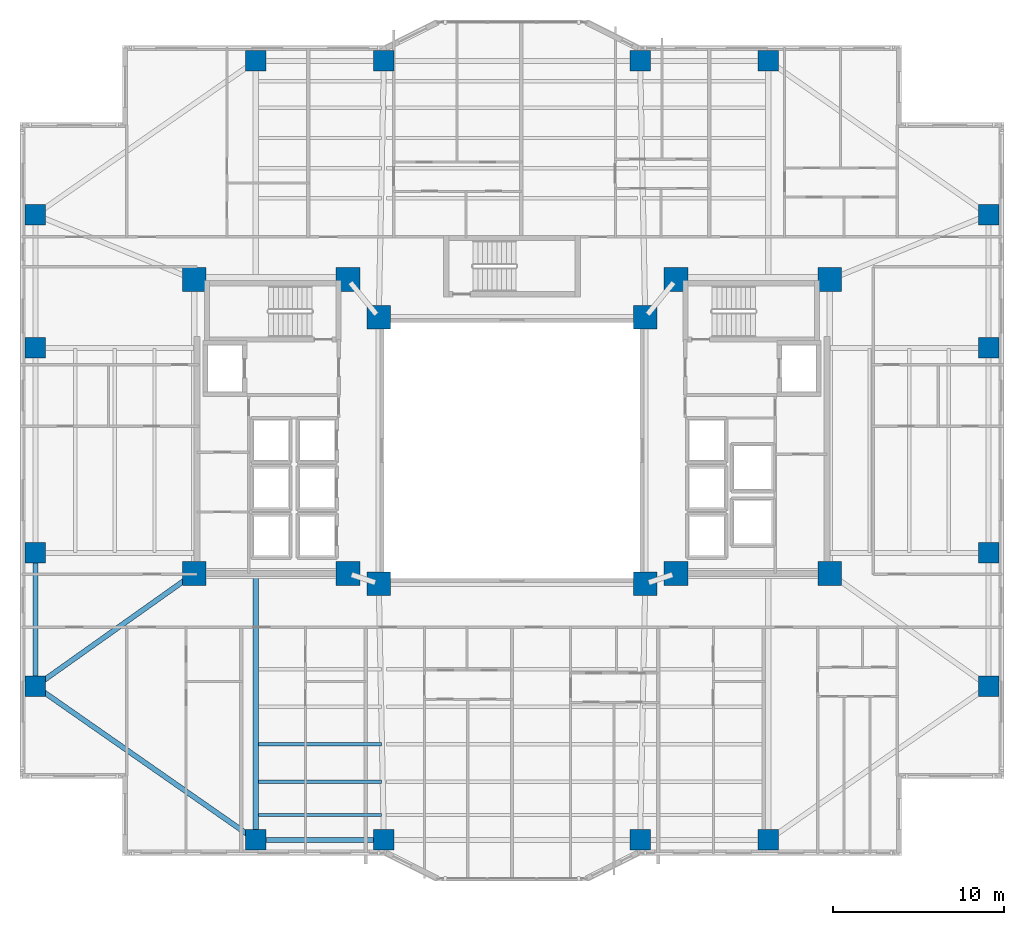
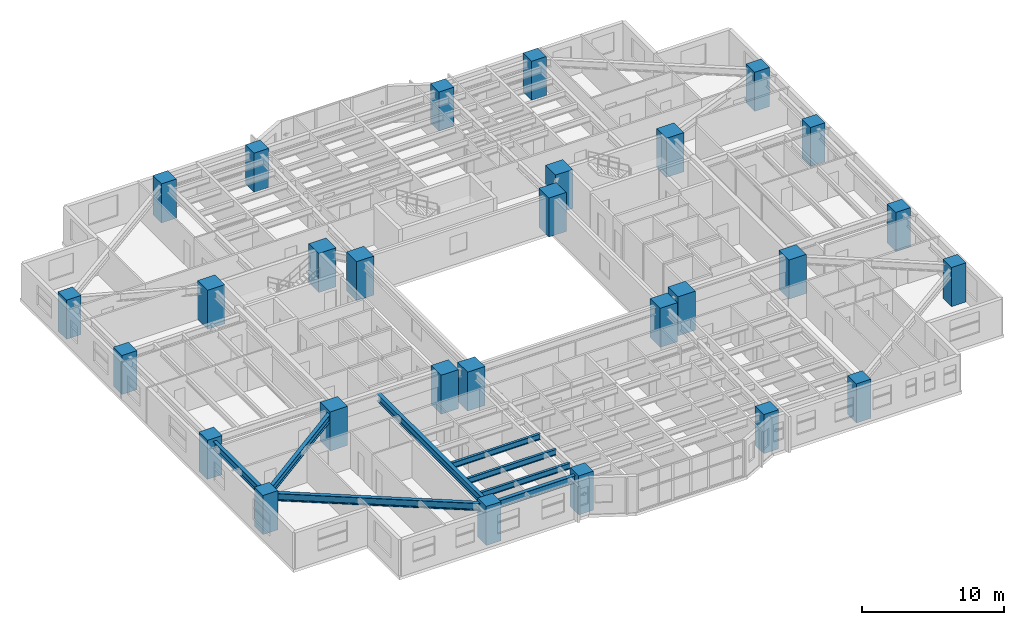
# One storey, part 1 of 22: 28 columns, 8 beams.
"""IFC4 building model written with IfcOpenShell, lengths in metres."""

from ifc_helpers import new_model, si_unit, direction, frame, origin, origin_2d, place, context, subcontext, project, spatial, rectangle, i_section, extrude, material, material_profile, profile_set, type_object, element, save


model = new_model("IFC4")

# Units and contexts
model_context = context("Model", 3, precision=1e-05, world=origin(), true_north=direction((0.0, 1.0)))
body_context = subcontext(model_context, "Body", "Model", "MODEL_VIEW")
ifc_project = project(units=[si_unit("LENGTHUNIT", "METRE"), si_unit("AREAUNIT", "SQUARE_METRE"), si_unit("VOLUMEUNIT", "CUBIC_METRE"), si_unit("PLANEANGLEUNIT", "RADIAN"), si_unit("MASSUNIT", "GRAM", prefix="KILO")], contexts=[model_context])

# Site, building, storey
site_placement = place(None, origin())
site = spatial("IfcSite", under=ifc_project, at=site_placement, CompositionType="ELEMENT")
building_placement = place(site_placement, origin())
building = spatial("IfcBuilding", under=site, at=building_placement, Name="Tarnavaz Court Tower", CompositionType="ELEMENT")
storey_placement = place(building_placement, frame((0.0, 0.0, 27.35009765625)))
storey = spatial("IfcBuildingStorey", under=building, at=storey_placement, Name="L06", CompositionType="ELEMENT", Elevation=27.35009765625)

# Columns
ifc_material_1 = material(Name="Concrete C60/75", Category="concrete")
ifc_material_profile_1 = material_profile(ifc_material_1, rectangle(XDim=1.199951171875, YDim=1.199951171875, at=origin_2d()), Name="RC 1200X1200")
ifc_profile_set_1 = profile_set([ifc_material_profile_1], Name="Concrete C60/75")
column_type_1 = type_object("IfcColumnType", Name="CL-RC1200", PredefinedType="COLUMN", material=ifc_profile_set_1)
for number, where, z_axis, x_axis, name in (
    (1, (-15.0, 22.800048828125, 0.0), (0.0, 0.0, 1.0), (1.0, 0.0, 0.0), "L06 Column PN-1"),
    (2, (-7.5, 22.800048828125, 0.0), (0.0, 0.0, 1.0), (1.0, 0.0, 0.0), "L06 Column PN-2"),
    (3, (7.5, 22.800048828125, 0.0), (0.0, 0.0, 1.0), (1.0, 0.0, 0.0), "L06 Column PN-3"),
    (4, (15.0, 22.800048828125, 0.0), (0.0, 0.0, 1.0), (1.0, 0.0, 0.0), "L06 Column PN-4"),
    (5, (-15.0, -22.800048828125, 0.0), (0.0, 0.0, 1.0), (1.0, 0.0, 0.0), "L06 Column PS-1"),
    (6, (-7.5, -22.800048828125, 0.0), (0.0, 0.0, 1.0), (1.0, 0.0, 0.0), "L06 Column PS-2"),
    (7, (7.5, -22.800048828125, 0.0), (0.0, 0.0, 1.0), (1.0, 0.0, 0.0), "L06 Column PS-3"),
    (8, (15.0, -22.800048828125, 0.0), (0.0, 0.0, 1.0), (1.0, 0.0, 0.0), "L06 Column PS-4"),
    (9, (27.89990234375, -13.800048828125, 0.0), (0.0, 0.0, 1.0), (1.0, 0.0, 0.0), "L06 Column PE-1"),
    (10, (27.89990234375, -6.0, 0.0), (0.0, 0.0, 1.0), (1.0, 0.0, 0.0), "L06 Column PE-2"),
    (11, (27.89990234375, 6.0, 0.0), (0.0, 0.0, 1.0), (1.0, 0.0, 0.0), "L06 Column PE-3"),
    (12, (27.89990234375, 13.800048828125, 0.0), (0.0, 0.0, 1.0), (1.0, 0.0, 0.0), "L06 Column PE-4"),
    (13, (-27.89990234375, -13.800048828125, 0.0), (0.0, 0.0, 1.0), (1.0, 0.0, 0.0), "L06 Column PW-1"),
    (14, (-27.89990234375, -6.0, 0.0), (0.0, 0.0, 1.0), (1.0, 0.0, 0.0), "L06 Column PW-2"),
    (15, (-27.89990234375, 6.0, 0.0), (0.0, 0.0, 1.0), (1.0, 0.0, 0.0), "L06 Column PW-3"),
    (16, (-27.89990234375, 13.800048828125, 0.0), (0.0, 0.0, 1.0), (1.0, 0.0, 0.0), "L06 Column PW-4"),
):
    element("IfcColumn", number, at=place(storey_placement, frame(where, z_axis=z_axis, x_axis=x_axis)), inside=storey, type_object=column_type_1, Name=name, PredefinedType="COLUMN", context=body_context, shape_type="SweptSolid", body=[
        extrude(rectangle(XDim=1.199951171875, YDim=1.199951171875, at=origin_2d()), origin(), (0.0, 0.0, 1.0), 3.349853515625),
    ])
ifc_material_profile_2 = material_profile(ifc_material_1, rectangle(XDim=1.39990234375, YDim=1.39990234375, at=origin_2d()), Name="RC 1400X1400")
ifc_profile_set_2 = profile_set([ifc_material_profile_2], Name="Concrete C60/75")
column_type_2 = type_object("IfcColumnType", Name="CL-RC1400", PredefinedType="COLUMN", material=ifc_profile_set_2)
for number, where, z_axis, x_axis, name in (
    (17, (-7.800048828125, -7.800048828125, 0.0), (0.0, 0.0, 1.0), (1.0, 0.0, 0.0), "L06 Column IW-SW"),
    (18, (7.800048828125, -7.800048828125, 0.0), (0.0, 0.0, 1.0), (1.0, 0.0, 0.0), "L06 Column IW-SE"),
    (19, (-7.800048828125, 7.800048828125, 0.0), (0.0, 0.0, 1.0), (1.0, 0.0, 0.0), "L06 Column IW-NW"),
    (20, (7.800048828125, 7.800048828125, 0.0), (0.0, 0.0, 1.0), (1.0, 0.0, 0.0), "L06 Column IW-NE"),
    (21, (-9.60009765625, -7.199951171875, 0.0), (0.0, 0.0, 1.0), (1.0, 0.0, 0.0), "L06 Column CW-SI"),
    (22, (-9.60009765625, 10.0, 0.0), (0.0, 0.0, 1.0), (1.0, 0.0, 0.0), "L06 Column CW-NI"),
    (23, (9.60009765625, -7.199951171875, 0.0), (0.0, 0.0, 1.0), (1.0, 0.0, 0.0), "L06 Column CE-SI"),
    (24, (9.60009765625, 10.0, 0.0), (0.0, 0.0, 1.0), (1.0, 0.0, 0.0), "L06 Column CE-NI"),
    (25, (-18.60009765625, -7.199951171875, 0.0), (0.0, 0.0, 1.0), (1.0, 0.0, 0.0), "L06 Column CW-SO"),
    (26, (-18.60009765625, 10.0, 0.0), (0.0, 0.0, 1.0), (1.0, 0.0, 0.0), "L06 Column CW-NO"),
    (27, (18.60009765625, -7.199951171875, 0.0), (0.0, 0.0, 1.0), (1.0, 0.0, 0.0), "L06 Column CE-SO"),
    (28, (18.60009765625, 10.0, 0.0), (0.0, 0.0, 1.0), (1.0, 0.0, 0.0), "L06 Column CE-NO"),
):
    element("IfcColumn", number, at=place(storey_placement, frame(where, z_axis=z_axis, x_axis=x_axis)), inside=storey, type_object=column_type_2, Name=name, PredefinedType="COLUMN", context=body_context, shape_type="SweptSolid", body=[
        extrude(rectangle(XDim=1.39990234375, YDim=1.39990234375, at=origin_2d()), origin(), (0.0, 0.0, 1.0), 3.349853515625),
    ])

# Beams
ifc_material_2 = material(Name="Steel S355", Category="steel")
ifc_material_profile_3 = material_profile(ifc_material_2, i_section(OverallWidth=0.300048828125, OverallDepth=0.64990234375, WebThickness=0.01611328125, FlangeThickness=0.031005859375, FilletRadius=0.027099609375, at=origin_2d()), Name="HEB 650")
ifc_profile_set_3 = profile_set([ifc_material_profile_3], Name="Steel S355")
beam_type_1 = type_object("IfcBeamType", Name="BM-G-HEB650", PredefinedType="USERDEFINED", material=ifc_profile_set_3)
beam_1_placement = place(storey_placement, frame((-15.0, -7.239990234375, 2.77490234375), z_axis=(0.0, -1.0, 0.0), x_axis=(1.0, 0.0, 0.0)))
element("IfcBeam", 29, at=beam_1_placement, inside=storey, type_object=beam_type_1, Name="L06 Beam RG-05", ObjectType="GIRDER", PredefinedType="USERDEFINED", context=body_context, shape_type="SweptSolid", body=[
    extrude(i_section(OverallWidth=0.300048828125, OverallDepth=0.64990234375, WebThickness=0.01611328125, FlangeThickness=0.031005859375, FilletRadius=0.027099609375, at=origin_2d()), origin(), (0.0, 0.0, 1.0), 15.340087890625),
])
beam_2_placement = place(storey_placement, frame((-18.779296875, -7.327392578125, 2.77490234375), z_axis=(-0.815520027245, -0.578728852886, 0.0), x_axis=(0.578728852886, -0.815520027245, 0.0)))
element("IfcBeam", 30, at=beam_2_placement, inside=storey, type_object=beam_type_1, Name="L06 Beam RG-15", ObjectType="GIRDER", PredefinedType="USERDEFINED", context=body_context, shape_type="SweptSolid", body=[
    extrude(i_section(OverallWidth=0.300048828125, OverallDepth=0.64990234375, WebThickness=0.01611328125, FlangeThickness=0.031005859375, FilletRadius=0.027099609375, at=origin_2d()), origin(), (0.0, 0.0, 1.0), 10.964111328125),
])
ifc_material_profile_4 = material_profile(ifc_material_2, i_section(OverallWidth=0.199951171875, OverallDepth=0.5, WebThickness=0.01025390625, FlangeThickness=0.01611328125, FilletRadius=0.02099609375, at=origin_2d()), Name="IPE 500")
ifc_profile_set_4 = profile_set([ifc_material_profile_4], Name="Steel S355")
beam_type_2 = type_object("IfcBeamType", Name="BM-J-IPE500", PredefinedType="JOIST", material=ifc_profile_set_4)
for number, where, z_axis, x_axis, name in (
    (31, (-14.85009765625, -17.18798828125, 2.849853515625), (1.0, 0.0, 0.0), (0.0, 1.0, 0.0), "L06 Beam JS3-1"),
    (32, (-14.85009765625, -19.384033203125, 2.849853515625), (1.0, 0.0, 0.0), (0.0, 1.0, 0.0), "L06 Beam JS4-1"),
    (33, (-14.85009765625, -21.3359375, 2.849853515625), (1.0, 0.0, 0.0), (0.0, 1.0, 0.0), "L06 Beam JS5-1"),
):
    element("IfcBeam", number, at=place(storey_placement, frame(where, z_axis=z_axis, x_axis=x_axis)), inside=storey, type_object=beam_type_2, Name=name, PredefinedType="JOIST", context=body_context, shape_type="SweptSolid", body=[
        extrude(i_section(OverallWidth=0.199951171875, OverallDepth=0.5, WebThickness=0.01025390625, FlangeThickness=0.01611328125, FilletRadius=0.02099609375, at=origin_2d()), origin(), (0.0, 0.0, 1.0), 7.2001953125),
    ])
ifc_material_profile_5 = material_profile(ifc_material_2, i_section(OverallWidth=0.300048828125, OverallDepth=0.639892578125, WebThickness=0.013427734375, FlangeThickness=0.02587890625, FilletRadius=0.027099609375, at=origin_2d()), Name="HEA 650")
ifc_profile_set_5 = profile_set([ifc_material_profile_5], Name="Steel S355")
beam_type_3 = type_object("IfcBeamType", Name="BM-SP-HEA650", PredefinedType="SPANDREL", material=ifc_profile_set_5)
beam_3_placement = place(storey_placement, frame((-14.780029296875, -22.800048828125, 2.77978515625), z_axis=(1.0, 0.0, 0.0), x_axis=(0.0, 1.0, 0.0)))
element("IfcBeam", 34, at=beam_3_placement, inside=storey, type_object=beam_type_3, Name="L06 Beam PR-PS-1-PS-2", PredefinedType="SPANDREL", context=body_context, shape_type="SweptSolid", body=[
    extrude(i_section(OverallWidth=0.300048828125, OverallDepth=0.639892578125, WebThickness=0.013427734375, FlangeThickness=0.02587890625, FilletRadius=0.027099609375, at=origin_2d()), origin(), (0.0, 0.0, 1.0), 7.06005859375),
])
beam_4_placement = place(storey_placement, frame((-27.89990234375, -13.580078125, 2.77978515625), z_axis=(0.0, 1.0, 0.0), x_axis=(-1.0, 0.0, 0.0)))
element("IfcBeam", 35, at=beam_4_placement, inside=storey, type_object=beam_type_3, Name="L06 Beam PR-PW-1-PW-2", PredefinedType="SPANDREL", context=body_context, shape_type="SweptSolid", body=[
    extrude(i_section(OverallWidth=0.300048828125, OverallDepth=0.639892578125, WebThickness=0.013427734375, FlangeThickness=0.02587890625, FilletRadius=0.027099609375, at=origin_2d()), origin(), (0.0, 0.0, 1.0), 7.360107421875),
])
beam_5_placement = place(storey_placement, frame((-15.180419921875, -22.674072265625, 2.77978515625), z_axis=(-0.820123643324, 0.572186341729, 0.0), x_axis=(-0.572186341729, -0.820123643324, 0.0)))
element("IfcBeam", 36, at=beam_5_placement, inside=storey, type_object=beam_type_3, Name="L06 Beam PR-PS-1-PW-1", PredefinedType="SPANDREL", context=body_context, shape_type="SweptSolid", body=[
    extrude(i_section(OverallWidth=0.300048828125, OverallDepth=0.639892578125, WebThickness=0.013427734375, FlangeThickness=0.02587890625, FilletRadius=0.027099609375, at=origin_2d()), origin(), (0.0, 0.0, 1.0), 15.289306640625),
])

save(model, "model.ifc")
